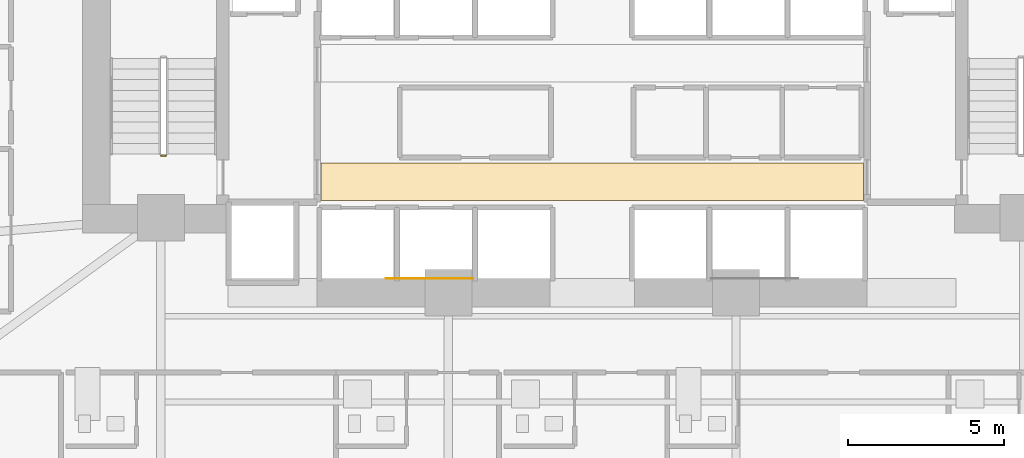
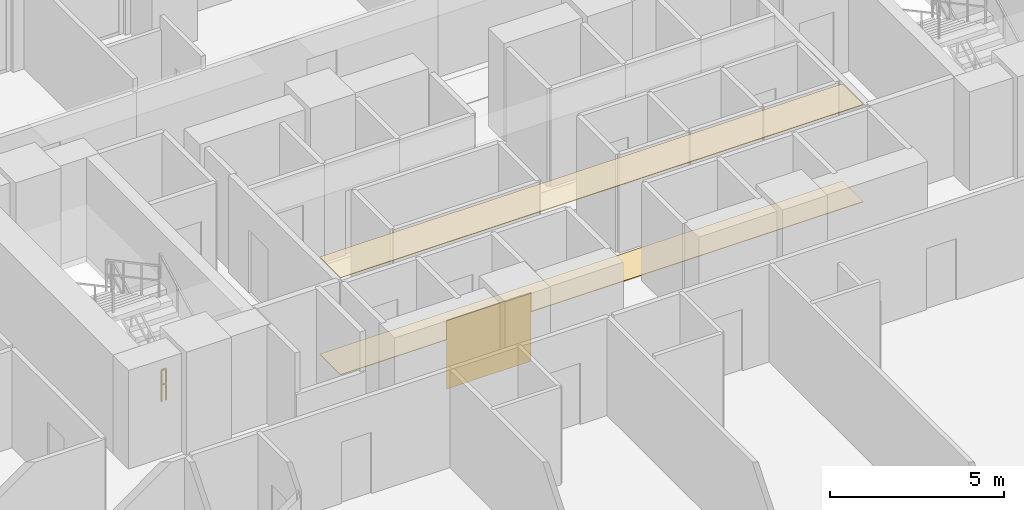
# One storey, part 24 of 29: 3 coverings, 1 railing.
"""IFC4 building model written with IfcOpenShell, lengths in metres."""

from ifc_helpers import new_model, si_unit, direction, frame, origin, origin_2d, place, context, subcontext, project, spatial, polyline, rectangle, outline, extrude, material, layer, layer_set, type_object, element, save


model = new_model("IFC4")

# Units and contexts
model_context = context("Model", 3, precision=1e-05, world=origin(), true_north=direction((0.0, 1.0)))
body_context = subcontext(model_context, "Body", "Model", "MODEL_VIEW")
ifc_project = project(units=[si_unit("LENGTHUNIT", "METRE"), si_unit("AREAUNIT", "SQUARE_METRE"), si_unit("VOLUMEUNIT", "CUBIC_METRE"), si_unit("PLANEANGLEUNIT", "RADIAN"), si_unit("MASSUNIT", "GRAM", prefix="KILO")], contexts=[model_context])

# Site, building, storey
site_placement = place(None, origin())
site = spatial("IfcSite", under=ifc_project, at=site_placement, CompositionType="ELEMENT")
building_placement = place(site_placement, origin())
building = spatial("IfcBuilding", under=site, at=building_placement, Name="Zuhayl Quay Hotel", CompositionType="ELEMENT")
storey_placement = place(building_placement, frame((0.0, 0.0, 38.550048828125)))
storey = spatial("IfcBuildingStorey", under=building, at=storey_placement, Name="L08", CompositionType="ELEMENT", Elevation=38.550048828125)

# Coverings
ifc_material_1 = material(Name="Acoustic Mineral-Fibre Gypsum Board")
ifc_layer_1 = layer(ifc_material_1, 0.02490234375, Name="Acoustic Mineral-Fibre Gypsum Board")
ifc_layer_set_1 = layer_set([ifc_layer_1], Name="Acoustic Mineral-Fibre Gypsum Board")
covering_type_1 = type_object("IfcCoveringType", Name="CV_CEIL_ACOUSTIC", PredefinedType="CEILING", material=ifc_layer_set_1)
covering_1_placement = place(storey_placement, frame((0.0, 0.0, 3.405029296875)))
element("IfcCovering", 1, at=covering_1_placement, inside=storey, type_object=covering_type_1, Name="L08 Suspended Acoustic Lobby Ceiling S", PredefinedType="CEILING", context=body_context, shape_type="SweptSolid", body=[
    extrude(outline(polyline([(-8.679931640625, 5.10009765625), (8.679931640625, 5.10009765625), (8.679931640625, 6.300048828125), (-8.679931640625, 6.300048828125), (-8.679931640625, 5.10009765625)])), origin(), (0.0, 0.0, 1.0), 0.02490234375),
])
ifc_material_2 = material(Name="Polished Limestone Terrazzo", Category="masonry")
ifc_layer_2 = layer(ifc_material_2, 0.02001953125, Name="Polished Limestone Terrazzo", Category="masonry")
ifc_layer_set_2 = layer_set([ifc_layer_2], Name="Polished Limestone Terrazzo")
covering_type_2 = type_object("IfcCoveringType", Name="CV_FLOOR_TERRAZZO", PredefinedType="FLOORING", material=ifc_layer_set_2)
covering_2_placement = place(storey_placement, origin())
element("IfcCovering", 2, at=covering_2_placement, inside=storey, type_object=covering_type_2, Name="L08 Honed Limestone Terrazzo Lobby Flooring S", PredefinedType="FLOORING", context=body_context, shape_type="SweptSolid", body=[
    extrude(outline(polyline([(-8.679931640625, 5.10009765625), (8.679931640625, 5.10009765625), (8.679931640625, 6.300048828125), (-8.679931640625, 6.300048828125), (-8.679931640625, 5.10009765625)])), origin(), (0.0, 0.0, 1.0), 0.02001953125),
])
ifc_material_3 = material(Name="Acoustic Walnut Feature Timber", Category="wood")
ifc_layer_3 = layer(ifc_material_3, 0.02197265625, Name="Acoustic Walnut Feature Timber", Category="wood")
ifc_layer_set_3 = layer_set([ifc_layer_3], Name="Acoustic Walnut Feature Timber")
covering_type_3 = type_object("IfcCoveringType", Name="CV_WALL_CLAD", PredefinedType="CLADDING", material=ifc_layer_set_3)
covering_3_placement = place(storey_placement, frame((-5.199951171875, 2.611083984375, 0.300048828125), z_axis=(0.0, 0.0, 1.0), x_axis=(1.0, 0.0, 0.0)))
element("IfcCovering", 3, at=covering_3_placement, inside=storey, type_object=covering_type_3, Name="L08 Feature Lobby Walnut Wall Cladding W", PredefinedType="CLADDING", context=body_context, shape_type="SweptSolid", body=[
    extrude(rectangle(XDim=2.800048828125, YDim=0.02197265625, at=origin_2d()), origin(), (0.0, 0.0, 1.0), 2.39990234375),
])

# Railing
ifc_material_4 = material(Name="Steel ASTM A992 Grade 50", Category="steel")
railing_type = type_object("IfcRailingType", Name="RL_GUARD_1100", PredefinedType="GUARDRAIL", material=ifc_material_4)
railing_placement = place(storey_placement, frame((-13.639892578125, 6.5400390625, 0.0)))
element("IfcRailing", 4, at=railing_placement, inside=storey, type_object=railing_type, Name="L08 ST1 stair guard 4", PredefinedType="GUARDRAIL", context=body_context, shape_type="SweptSolid", body=[
    extrude(rectangle(XDim=0.048095703125, YDim=0.048095703125, at=origin_2d()), frame((0.0, 0.0, 1.09619140625), z_axis=(-1.0, 0.0, 0.0), x_axis=(0.0, -1.0, 0.0)), (0.0, 0.0, 1.0), 0.150146484375),
    extrude(rectangle(XDim=0.0361328125, YDim=0.0361328125, at=origin_2d()), frame((0.0, 0.0, 0.58251953125), z_axis=(-1.0, 0.0, 0.0), x_axis=(0.0, -1.0, 0.0)), (0.0, 0.0, 1.0), 0.150146484375),
    extrude(rectangle(XDim=0.0419921875, YDim=0.0419921875, at=origin_2d()), origin(), (0.0, 0.0, 1.0), 1.072021484375),
    extrude(rectangle(XDim=0.0419921875, YDim=0.0419921875, at=origin_2d()), frame((-0.150146484375, 0.0, 0.0)), (0.0, 0.0, 1.0), 1.072021484375),
])

save(model, "model.ifc")
